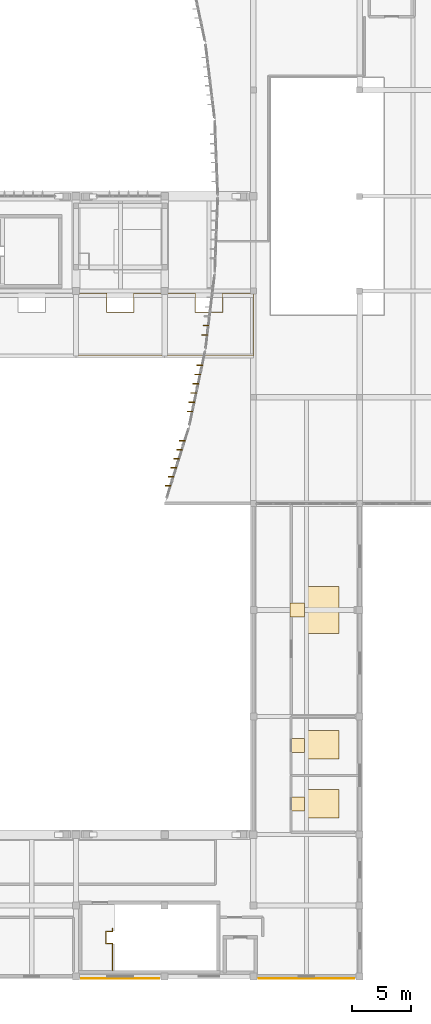
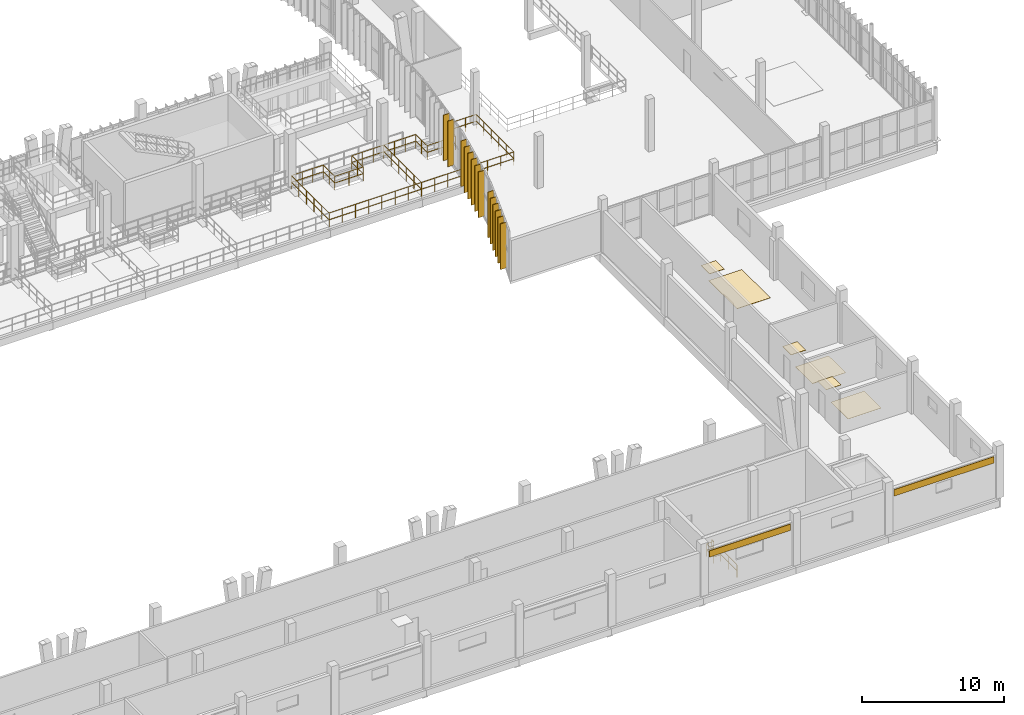
# One storey, part 78 of 81: 14 shading devices, 8 coverings, 3 railings.
"""IFC4 building model written with IfcOpenShell, lengths in metres."""

from ifc_helpers import new_model, si_unit, direction, frame, origin, origin_2d, place, context, subcontext, project, spatial, rectangle, circle, extrude, material, layer, layer_set, material_profile, profile_set, type_object, element, save


model = new_model("IFC4")

# Units and contexts
model_context = context("Model", 3, precision=1e-05, world=origin(), true_north=direction((0.0, 1.0)))
body_context = subcontext(model_context, "Body", "Model", "MODEL_VIEW")
ifc_project = project(units=[si_unit("LENGTHUNIT", "METRE"), si_unit("AREAUNIT", "SQUARE_METRE"), si_unit("VOLUMEUNIT", "CUBIC_METRE"), si_unit("PLANEANGLEUNIT", "RADIAN"), si_unit("MASSUNIT", "GRAM", prefix="KILO")], contexts=[model_context])

# Site, building, storey
site_placement = place(None, origin())
site = spatial("IfcSite", under=ifc_project, at=site_placement, CompositionType="ELEMENT")
building_placement = place(site_placement, origin())
building = spatial("IfcBuilding", under=site, at=building_placement, Name="Vourika Railside Aquatics Centre", CompositionType="ELEMENT")
storey_placement = place(building_placement, frame((0.0, 0.0, 4.800048828125)))
storey = spatial("IfcBuildingStorey", under=building, at=storey_placement, Name="L01", CompositionType="ELEMENT", Elevation=4.800048828125)

# Coverings
ifc_material_1 = material(Name="Perforated moisture-resistant acoustic gypsum ceiling")
ifc_layer_1 = layer(ifc_material_1, 0.02490234375, Name="COV-CEIL-25")
ifc_layer_set_1 = layer_set([ifc_layer_1], Name="Perforated moisture-resistant acoustic gypsum ceiling")
covering_type_1 = type_object("IfcCoveringType", Name="COV-CEIL-25", PredefinedType="CEILING", material=ifc_layer_set_1)
for number, where, z_axis, x_axis, name in (
    (1, (144.719970703125, 14.60009765625, 2.637451171875), (0.0, 0.0, 1.0), (1.0, 0.0, 0.0), "Spectator Concourse Male WC Acoustic Ceiling Panel"),
    (2, (144.719970703125, 19.534912109375, 2.637451171875), (0.0, 0.0, 1.0), (1.0, 0.0, 0.0), "Spectator Concourse Female WC Acoustic Ceiling Panel"),
    (3, (144.719970703125, 30.99951171875, 2.637451171875), (0.0, 0.0, 1.0), (1.0, 0.0, 0.0), "Lane Rope and Timing Pad Store Acoustic Ceiling Panel"),
):
    element("IfcCovering", number, at=place(storey_placement, frame(where, z_axis=z_axis, x_axis=x_axis)), inside=storey, type_object=covering_type_1, Name=name, PredefinedType="CEILING", context=body_context, shape_type="SweptSolid", body=[
        extrude(rectangle(XDim=1.199951171875, YDim=1.199951171875, at=origin_2d()), origin(), (0.0, 0.0, 1.0), 0.02490234375),
    ])
ifc_material_2 = material(Name="Bronze-anodized aluminium rainscreen", Category="aluminium")
ifc_layer_2 = layer(ifc_material_2, 0.044921875, Name="COV-CLAD-45")
ifc_layer_set_2 = layer_set([ifc_layer_2], Name="Bronze-anodized aluminium rainscreen")
covering_type_2 = type_object("IfcCoveringType", Name="COV-CLAD-45", PredefinedType="CLADDING", material=ifc_layer_set_2)
covering_1_placement = place(storey_placement, frame((129.75, -0.1650390625, 3.07470703125), z_axis=(0.0, 0.0, 1.0), x_axis=(1.0, 0.0, 0.0)))
element("IfcCovering", 4, at=covering_1_placement, inside=storey, type_object=covering_type_2, Name="Perforated Bronze Rainscreen Band CL-038", PredefinedType="CLADDING", context=body_context, shape_type="SweptSolid", body=[
    extrude(rectangle(XDim=6.60009765625, YDim=0.044921875, at=origin_2d()), origin(), (0.0, 0.0, 1.0), 0.550048828125),
])
covering_2_placement = place(storey_placement, frame((145.5, -0.1650390625, 3.07470703125), z_axis=(0.0, 0.0, 1.0), x_axis=(1.0, 0.0, 0.0)))
element("IfcCovering", 5, at=covering_2_placement, inside=storey, type_object=covering_type_2, Name="Perforated Bronze Rainscreen Band CL-039", PredefinedType="CLADDING", context=body_context, shape_type="SweptSolid", body=[
    extrude(rectangle(XDim=8.10009765625, YDim=0.044921875, at=origin_2d()), origin(), (0.0, 0.0, 1.0), 0.550048828125),
])
ifc_material_3 = material(Name="Slip-resistant aqua ceramic sports flooring")
ifc_layer_3 = layer(ifc_material_3, 0.02001953125, Name="COV-FLOR-20")
ifc_layer_set_3 = layer_set([ifc_layer_3], Name="Slip-resistant aqua ceramic sports flooring")
covering_type_3 = type_object("IfcCoveringType", Name="COV-FLOR-20", PredefinedType="FLOORING", material=ifc_layer_set_3)
for number, where, z_axis, x_axis, name in (
    (6, (146.89990234375, 14.60009765625, 0.0), (0.0, 0.0, 1.0), (1.0, 0.0, 0.0), "Spectator Concourse Male WC Sports Flooring Panel"),
    (7, (146.89990234375, 19.60009765625, 0.0), (0.0, 0.0, 1.0), (1.0, 0.0, 0.0), "Spectator Concourse Female WC Sports Flooring Panel"),
):
    element("IfcCovering", number, at=place(storey_placement, frame(where, z_axis=z_axis, x_axis=x_axis)), inside=storey, type_object=covering_type_3, Name=name, PredefinedType="FLOORING", context=body_context, shape_type="SweptSolid", body=[
        extrude(rectangle(XDim=2.699951171875, YDim=2.39990234375, at=origin_2d()), origin(), (0.0, 0.0, 1.0), 0.02001953125),
    ])
covering_3_placement = place(storey_placement, frame((146.89990234375, 31.0, 0.0), z_axis=(0.0, 0.0, 1.0), x_axis=(1.0, 0.0, 0.0)))
element("IfcCovering", 8, at=covering_3_placement, inside=storey, type_object=covering_type_3, Name="Lane Rope and Timing Pad Store Sports Flooring Panel", PredefinedType="FLOORING", context=body_context, shape_type="SweptSolid", body=[
    extrude(rectangle(XDim=2.699951171875, YDim=4.0, at=origin_2d()), origin(), (0.0, 0.0, 1.0), 0.02001953125),
])

# Railings
ifc_material_4 = material(Name="Duplex stainless steel EN 1.4462", Category="steel")
railing_type_1 = type_object("IfcRailingType", Name="RL-BAL-STD120", PredefinedType="BALUSTRADE", material=ifc_material_4)
railing_1_placement = place(storey_placement, frame((133.5, 57.800048828125, -0.35009765625)))
element("IfcRailing", 9, at=railing_1_placement, inside=storey, type_object=railing_type_1, Name="Spectator Stand Crowd Barrier (Stand Lower Tier Bay 13)", PredefinedType="BALUSTRADE", context=body_context, shape_type="SweptSolid", body=[
    extrude(circle(Radius=0.02392578125, at=origin_2d()), frame((0.0, 0.0, 1.17578125), z_axis=(0.0, -1.0, 0.0), x_axis=(1.0, 0.0, 0.0)), (0.0, 0.0, 1.0), 5.300048828125),
    extrude(circle(Radius=0.02392578125, at=origin_2d()), frame((0.0, 0.0, 0.60009765625), z_axis=(0.0, -1.0, 0.0), x_axis=(1.0, 0.0, 0.0)), (0.0, 0.0, 1.0), 5.300048828125),
    extrude(circle(Radius=0.02392578125, at=origin_2d()), frame((0.0, -5.300048828125, 1.17578125), z_axis=(-1.0, 0.0, 0.0), x_axis=(0.0, -1.0, 0.0)), (0.0, 0.0, 1.0), 7.5),
    extrude(circle(Radius=0.02392578125, at=origin_2d()), frame((0.0, -5.300048828125, 0.60009765625), z_axis=(-1.0, 0.0, 0.0), x_axis=(0.0, -1.0, 0.0)), (0.0, 0.0, 1.0), 7.5),
    extrude(circle(Radius=0.02392578125, at=origin_2d()), frame((-7.5, -5.300048828125, 1.17578125), z_axis=(0.0, 1.0, 0.0), x_axis=(-1.0, 0.0, 0.0)), (0.0, 0.0, 1.0), 5.300048828125),
    extrude(circle(Radius=0.02392578125, at=origin_2d()), frame((-7.5, -5.300048828125, 0.60009765625), z_axis=(0.0, 1.0, 0.0), x_axis=(-1.0, 0.0, 0.0)), (0.0, 0.0, 1.0), 5.300048828125),
    extrude(circle(Radius=0.02392578125, at=origin_2d()), frame((-7.5, 0.0, 1.17578125), z_axis=(1.0, 0.0, 0.0), x_axis=(0.0, 1.0, 0.0)), (0.0, 0.0, 1.0), 2.60009765625),
    extrude(circle(Radius=0.02392578125, at=origin_2d()), frame((-7.5, 0.0, 0.60009765625), z_axis=(1.0, 0.0, 0.0), x_axis=(0.0, 1.0, 0.0)), (0.0, 0.0, 1.0), 2.60009765625),
    extrude(circle(Radius=0.02392578125, at=origin_2d()), frame((-4.89990234375, 0.0, 1.17578125), z_axis=(0.0, -1.0, 0.0), x_axis=(1.0, 0.0, 0.0)), (0.0, 0.0, 1.0), 1.60009765625),
    extrude(circle(Radius=0.02392578125, at=origin_2d()), frame((-4.89990234375, 0.0, 0.60009765625), z_axis=(0.0, -1.0, 0.0), x_axis=(1.0, 0.0, 0.0)), (0.0, 0.0, 1.0), 1.60009765625),
    extrude(circle(Radius=0.02392578125, at=origin_2d()), frame((-4.89990234375, -1.60009765625, 1.17578125), z_axis=(1.0, 0.0, 0.0), x_axis=(0.0, 1.0, 0.0)), (0.0, 0.0, 1.0), 2.2998046875),
    extrude(circle(Radius=0.02392578125, at=origin_2d()), frame((-4.89990234375, -1.60009765625, 0.60009765625), z_axis=(1.0, 0.0, 0.0), x_axis=(0.0, 1.0, 0.0)), (0.0, 0.0, 1.0), 2.2998046875),
    extrude(circle(Radius=0.02392578125, at=origin_2d()), frame((-2.60009765625, -1.60009765625, 1.17578125), z_axis=(0.0, 1.0, 0.0), x_axis=(-1.0, 0.0, 0.0)), (0.0, 0.0, 1.0), 1.60009765625),
    extrude(circle(Radius=0.02392578125, at=origin_2d()), frame((-2.60009765625, -1.60009765625, 0.60009765625), z_axis=(0.0, 1.0, 0.0), x_axis=(-1.0, 0.0, 0.0)), (0.0, 0.0, 1.0), 1.60009765625),
    extrude(circle(Radius=0.02392578125, at=origin_2d()), frame((-2.60009765625, 0.0, 1.17578125), z_axis=(1.0, 0.0, 0.0), x_axis=(0.0, 1.0, 0.0)), (0.0, 0.0, 1.0), 2.60009765625),
    extrude(circle(Radius=0.02392578125, at=origin_2d()), frame((-2.60009765625, 0.0, 0.60009765625), z_axis=(1.0, 0.0, 0.0), x_axis=(0.0, 1.0, 0.0)), (0.0, 0.0, 1.0), 2.60009765625),
    extrude(circle(Radius=0.02099609375, at=origin_2d()), origin(), (0.0, 0.0, 1.0), 1.15185546875),
    extrude(circle(Radius=0.02099609375, at=origin_2d()), frame((0.0, -1.06005859375, 0.0)), (0.0, 0.0, 1.0), 1.15185546875),
    extrude(circle(Radius=0.02099609375, at=origin_2d()), frame((0.0, -2.1201171875, 0.0)), (0.0, 0.0, 1.0), 1.15185546875),
    extrude(circle(Radius=0.02099609375, at=origin_2d()), frame((0.0, -3.179931640625, 0.0)), (0.0, 0.0, 1.0), 1.15185546875),
    extrude(circle(Radius=0.02099609375, at=origin_2d()), frame((0.0, -4.239990234375, 0.0)), (0.0, 0.0, 1.0), 1.15185546875),
    extrude(circle(Radius=0.02099609375, at=origin_2d()), frame((0.0, -5.300048828125, 0.0)), (0.0, 0.0, 1.0), 1.15185546875),
    extrude(circle(Radius=0.02099609375, at=origin_2d()), frame((-1.071533203125, -5.300048828125, 0.0)), (0.0, 0.0, 1.0), 1.15185546875),
    extrude(circle(Radius=0.02099609375, at=origin_2d()), frame((-2.142822265625, -5.300048828125, 0.0)), (0.0, 0.0, 1.0), 1.15185546875),
    extrude(circle(Radius=0.02099609375, at=origin_2d()), frame((-3.21435546875, -5.300048828125, 0.0)), (0.0, 0.0, 1.0), 1.15185546875),
    extrude(circle(Radius=0.02099609375, at=origin_2d()), frame((-4.28564453125, -5.300048828125, 0.0)), (0.0, 0.0, 1.0), 1.15185546875),
    extrude(circle(Radius=0.02099609375, at=origin_2d()), frame((-5.357177734375, -5.300048828125, 0.0)), (0.0, 0.0, 1.0), 1.15185546875),
    extrude(circle(Radius=0.02099609375, at=origin_2d()), frame((-6.428466796875, -5.300048828125, 0.0)), (0.0, 0.0, 1.0), 1.15185546875),
    extrude(circle(Radius=0.02099609375, at=origin_2d()), frame((-7.5, -5.300048828125, 0.0)), (0.0, 0.0, 1.0), 1.15185546875),
    extrude(circle(Radius=0.02099609375, at=origin_2d()), frame((-7.5, -4.239990234375, 0.0)), (0.0, 0.0, 1.0), 1.15185546875),
    extrude(circle(Radius=0.02099609375, at=origin_2d()), frame((-7.5, -3.179931640625, 0.0)), (0.0, 0.0, 1.0), 1.15185546875),
    extrude(circle(Radius=0.02099609375, at=origin_2d()), frame((-7.5, -2.1201171875, 0.0)), (0.0, 0.0, 1.0), 1.15185546875),
    extrude(circle(Radius=0.02099609375, at=origin_2d()), frame((-7.5, -1.06005859375, 0.0)), (0.0, 0.0, 1.0), 1.15185546875),
    extrude(circle(Radius=0.02099609375, at=origin_2d()), frame((-7.5, 0.0, 0.0)), (0.0, 0.0, 1.0), 1.15185546875),
    extrude(circle(Radius=0.02099609375, at=origin_2d()), frame((-6.63330078125, 0.0, 0.0)), (0.0, 0.0, 1.0), 1.15185546875),
    extrude(circle(Radius=0.02099609375, at=origin_2d()), frame((-5.7666015625, 0.0, 0.0)), (0.0, 0.0, 1.0), 1.15185546875),
    extrude(circle(Radius=0.02099609375, at=origin_2d()), frame((-4.89990234375, 0.0, 0.0)), (0.0, 0.0, 1.0), 1.15185546875),
    extrude(circle(Radius=0.02099609375, at=origin_2d()), frame((-4.89990234375, -0.800048828125, 0.0)), (0.0, 0.0, 1.0), 1.15185546875),
    extrude(circle(Radius=0.02099609375, at=origin_2d()), frame((-4.89990234375, -1.60009765625, 0.0)), (0.0, 0.0, 1.0), 1.15185546875),
    extrude(circle(Radius=0.02099609375, at=origin_2d()), frame((-3.75, -1.60009765625, 0.0)), (0.0, 0.0, 1.0), 1.15185546875),
    extrude(circle(Radius=0.02099609375, at=origin_2d()), frame((-2.60009765625, -1.60009765625, 0.0)), (0.0, 0.0, 1.0), 1.15185546875),
    extrude(circle(Radius=0.02099609375, at=origin_2d()), frame((-2.60009765625, -0.800048828125, 0.0)), (0.0, 0.0, 1.0), 1.15185546875),
    extrude(circle(Radius=0.02099609375, at=origin_2d()), frame((-2.60009765625, 0.0, 0.0)), (0.0, 0.0, 1.0), 1.15185546875),
    extrude(circle(Radius=0.02099609375, at=origin_2d()), frame((-1.7333984375, 0.0, 0.0)), (0.0, 0.0, 1.0), 1.15185546875),
    extrude(circle(Radius=0.02099609375, at=origin_2d()), frame((-0.86669921875, 0.0, 0.0)), (0.0, 0.0, 1.0), 1.15185546875),
])
railing_2_placement = place(storey_placement, frame((141.0, 57.800048828125, -0.35009765625)))
element("IfcRailing", 10, at=railing_2_placement, inside=storey, type_object=railing_type_1, Name="Spectator Stand Crowd Barrier (Stand Lower Tier Bay 14)", PredefinedType="BALUSTRADE", context=body_context, shape_type="SweptSolid", body=[
    extrude(circle(Radius=0.02392578125, at=origin_2d()), frame((0.0, 0.0, 1.17578125), z_axis=(0.0, -1.0, 0.0), x_axis=(1.0, 0.0, 0.0)), (0.0, 0.0, 1.0), 5.300048828125),
    extrude(circle(Radius=0.02392578125, at=origin_2d()), frame((0.0, 0.0, 0.60009765625), z_axis=(0.0, -1.0, 0.0), x_axis=(1.0, 0.0, 0.0)), (0.0, 0.0, 1.0), 5.300048828125),
    extrude(circle(Radius=0.02392578125, at=origin_2d()), frame((0.0, -5.300048828125, 1.17578125), z_axis=(-1.0, 0.0, 0.0), x_axis=(0.0, -1.0, 0.0)), (0.0, 0.0, 1.0), 7.5),
    extrude(circle(Radius=0.02392578125, at=origin_2d()), frame((0.0, -5.300048828125, 0.60009765625), z_axis=(-1.0, 0.0, 0.0), x_axis=(0.0, -1.0, 0.0)), (0.0, 0.0, 1.0), 7.5),
    extrude(circle(Radius=0.02392578125, at=origin_2d()), frame((-7.5, -5.300048828125, 1.17578125), z_axis=(0.0, 1.0, 0.0), x_axis=(-1.0, 0.0, 0.0)), (0.0, 0.0, 1.0), 5.300048828125),
    extrude(circle(Radius=0.02392578125, at=origin_2d()), frame((-7.5, -5.300048828125, 0.60009765625), z_axis=(0.0, 1.0, 0.0), x_axis=(-1.0, 0.0, 0.0)), (0.0, 0.0, 1.0), 5.300048828125),
    extrude(circle(Radius=0.02392578125, at=origin_2d()), frame((-7.5, 0.0, 1.17578125), z_axis=(1.0, 0.0, 0.0), x_axis=(0.0, 1.0, 0.0)), (0.0, 0.0, 1.0), 2.60009765625),
    extrude(circle(Radius=0.02392578125, at=origin_2d()), frame((-7.5, 0.0, 0.60009765625), z_axis=(1.0, 0.0, 0.0), x_axis=(0.0, 1.0, 0.0)), (0.0, 0.0, 1.0), 2.60009765625),
    extrude(circle(Radius=0.02392578125, at=origin_2d()), frame((-4.89990234375, 0.0, 1.17578125), z_axis=(0.0, -1.0, 0.0), x_axis=(1.0, 0.0, 0.0)), (0.0, 0.0, 1.0), 1.60009765625),
    extrude(circle(Radius=0.02392578125, at=origin_2d()), frame((-4.89990234375, 0.0, 0.60009765625), z_axis=(0.0, -1.0, 0.0), x_axis=(1.0, 0.0, 0.0)), (0.0, 0.0, 1.0), 1.60009765625),
    extrude(circle(Radius=0.02392578125, at=origin_2d()), frame((-4.89990234375, -1.60009765625, 1.17578125), z_axis=(1.0, 0.0, 0.0), x_axis=(0.0, 1.0, 0.0)), (0.0, 0.0, 1.0), 2.2998046875),
    extrude(circle(Radius=0.02392578125, at=origin_2d()), frame((-4.89990234375, -1.60009765625, 0.60009765625), z_axis=(1.0, 0.0, 0.0), x_axis=(0.0, 1.0, 0.0)), (0.0, 0.0, 1.0), 2.2998046875),
    extrude(circle(Radius=0.02392578125, at=origin_2d()), frame((-2.60009765625, -1.60009765625, 1.17578125), z_axis=(0.0, 1.0, 0.0), x_axis=(-1.0, 0.0, 0.0)), (0.0, 0.0, 1.0), 1.60009765625),
    extrude(circle(Radius=0.02392578125, at=origin_2d()), frame((-2.60009765625, -1.60009765625, 0.60009765625), z_axis=(0.0, 1.0, 0.0), x_axis=(-1.0, 0.0, 0.0)), (0.0, 0.0, 1.0), 1.60009765625),
    extrude(circle(Radius=0.02392578125, at=origin_2d()), frame((-2.60009765625, 0.0, 1.17578125), z_axis=(1.0, 0.0, 0.0), x_axis=(0.0, 1.0, 0.0)), (0.0, 0.0, 1.0), 2.60009765625),
    extrude(circle(Radius=0.02392578125, at=origin_2d()), frame((-2.60009765625, 0.0, 0.60009765625), z_axis=(1.0, 0.0, 0.0), x_axis=(0.0, 1.0, 0.0)), (0.0, 0.0, 1.0), 2.60009765625),
    extrude(circle(Radius=0.02099609375, at=origin_2d()), origin(), (0.0, 0.0, 1.0), 1.15185546875),
    extrude(circle(Radius=0.02099609375, at=origin_2d()), frame((0.0, -1.06005859375, 0.0)), (0.0, 0.0, 1.0), 1.15185546875),
    extrude(circle(Radius=0.02099609375, at=origin_2d()), frame((0.0, -2.1201171875, 0.0)), (0.0, 0.0, 1.0), 1.15185546875),
    extrude(circle(Radius=0.02099609375, at=origin_2d()), frame((0.0, -3.179931640625, 0.0)), (0.0, 0.0, 1.0), 1.15185546875),
    extrude(circle(Radius=0.02099609375, at=origin_2d()), frame((0.0, -4.239990234375, 0.0)), (0.0, 0.0, 1.0), 1.15185546875),
    extrude(circle(Radius=0.02099609375, at=origin_2d()), frame((0.0, -5.300048828125, 0.0)), (0.0, 0.0, 1.0), 1.15185546875),
    extrude(circle(Radius=0.02099609375, at=origin_2d()), frame((-1.071533203125, -5.300048828125, 0.0)), (0.0, 0.0, 1.0), 1.15185546875),
    extrude(circle(Radius=0.02099609375, at=origin_2d()), frame((-2.142822265625, -5.300048828125, 0.0)), (0.0, 0.0, 1.0), 1.15185546875),
    extrude(circle(Radius=0.02099609375, at=origin_2d()), frame((-3.21435546875, -5.300048828125, 0.0)), (0.0, 0.0, 1.0), 1.15185546875),
    extrude(circle(Radius=0.02099609375, at=origin_2d()), frame((-4.28564453125, -5.300048828125, 0.0)), (0.0, 0.0, 1.0), 1.15185546875),
    extrude(circle(Radius=0.02099609375, at=origin_2d()), frame((-5.357177734375, -5.300048828125, 0.0)), (0.0, 0.0, 1.0), 1.15185546875),
    extrude(circle(Radius=0.02099609375, at=origin_2d()), frame((-6.428466796875, -5.300048828125, 0.0)), (0.0, 0.0, 1.0), 1.15185546875),
    extrude(circle(Radius=0.02099609375, at=origin_2d()), frame((-7.5, -5.300048828125, 0.0)), (0.0, 0.0, 1.0), 1.15185546875),
    extrude(circle(Radius=0.02099609375, at=origin_2d()), frame((-7.5, -4.239990234375, 0.0)), (0.0, 0.0, 1.0), 1.15185546875),
    extrude(circle(Radius=0.02099609375, at=origin_2d()), frame((-7.5, -3.179931640625, 0.0)), (0.0, 0.0, 1.0), 1.15185546875),
    extrude(circle(Radius=0.02099609375, at=origin_2d()), frame((-7.5, -2.1201171875, 0.0)), (0.0, 0.0, 1.0), 1.15185546875),
    extrude(circle(Radius=0.02099609375, at=origin_2d()), frame((-7.5, -1.06005859375, 0.0)), (0.0, 0.0, 1.0), 1.15185546875),
    extrude(circle(Radius=0.02099609375, at=origin_2d()), frame((-7.5, 0.0, 0.0)), (0.0, 0.0, 1.0), 1.15185546875),
    extrude(circle(Radius=0.02099609375, at=origin_2d()), frame((-6.63330078125, 0.0, 0.0)), (0.0, 0.0, 1.0), 1.15185546875),
    extrude(circle(Radius=0.02099609375, at=origin_2d()), frame((-5.7666015625, 0.0, 0.0)), (0.0, 0.0, 1.0), 1.15185546875),
    extrude(circle(Radius=0.02099609375, at=origin_2d()), frame((-4.89990234375, 0.0, 0.0)), (0.0, 0.0, 1.0), 1.15185546875),
    extrude(circle(Radius=0.02099609375, at=origin_2d()), frame((-4.89990234375, -0.800048828125, 0.0)), (0.0, 0.0, 1.0), 1.15185546875),
    extrude(circle(Radius=0.02099609375, at=origin_2d()), frame((-4.89990234375, -1.60009765625, 0.0)), (0.0, 0.0, 1.0), 1.15185546875),
    extrude(circle(Radius=0.02099609375, at=origin_2d()), frame((-3.75, -1.60009765625, 0.0)), (0.0, 0.0, 1.0), 1.15185546875),
    extrude(circle(Radius=0.02099609375, at=origin_2d()), frame((-2.60009765625, -1.60009765625, 0.0)), (0.0, 0.0, 1.0), 1.15185546875),
    extrude(circle(Radius=0.02099609375, at=origin_2d()), frame((-2.60009765625, -0.800048828125, 0.0)), (0.0, 0.0, 1.0), 1.15185546875),
    extrude(circle(Radius=0.02099609375, at=origin_2d()), frame((-2.60009765625, 0.0, 0.0)), (0.0, 0.0, 1.0), 1.15185546875),
    extrude(circle(Radius=0.02099609375, at=origin_2d()), frame((-1.7333984375, 0.0, 0.0)), (0.0, 0.0, 1.0), 1.15185546875),
    extrude(circle(Radius=0.02099609375, at=origin_2d()), frame((-0.86669921875, 0.0, 0.0)), (0.0, 0.0, 1.0), 1.15185546875),
])
railing_type_2 = type_object("IfcRailingType", Name="RL-STAIR-1120", PredefinedType="BALUSTRADE", material=ifc_material_4)
railing_3_placement = place(storey_placement, frame((129.10009765625, 0.52001953125, 0.0)))
element("IfcRailing", 11, at=railing_3_placement, inside=storey, type_object=railing_type_2, Name="Protected Exit Stair Core ST06 Well Edge Guard (L01)", PredefinedType="BALUSTRADE", context=body_context, shape_type="SweptSolid", body=[
    extrude(circle(Radius=0.02392578125, at=origin_2d()), frame((0.0, 0.0, 1.09619140625), z_axis=(0.0, 1.0, 0.0), x_axis=(-1.0, 0.0, 0.0)), (0.0, 0.0, 1.0), 2.280029296875),
    extrude(circle(Radius=0.02392578125, at=origin_2d()), frame((0.0, 0.0, 0.56005859375), z_axis=(0.0, 1.0, 0.0), x_axis=(-1.0, 0.0, 0.0)), (0.0, 0.0, 1.0), 2.280029296875),
    extrude(circle(Radius=0.02392578125, at=origin_2d()), frame((0.0, 2.280029296875, 1.09619140625), z_axis=(-1.0, 0.0, 0.0), x_axis=(0.0, -1.0, 0.0)), (0.0, 0.0, 1.0), 0.570068359375),
    extrude(circle(Radius=0.02392578125, at=origin_2d()), frame((0.0, 2.280029296875, 0.56005859375), z_axis=(-1.0, 0.0, 0.0), x_axis=(0.0, -1.0, 0.0)), (0.0, 0.0, 1.0), 0.570068359375),
    extrude(circle(Radius=0.02392578125, at=origin_2d()), frame((-0.570068359375, 2.280029296875, 1.09619140625), z_axis=(0.0, 1.0, 0.0), x_axis=(-1.0, 0.0, 0.0)), (0.0, 0.0, 1.0), 1.0),
    extrude(circle(Radius=0.02392578125, at=origin_2d()), frame((-0.570068359375, 2.280029296875, 0.56005859375), z_axis=(0.0, 1.0, 0.0), x_axis=(-1.0, 0.0, 0.0)), (0.0, 0.0, 1.0), 1.0),
    extrude(circle(Radius=0.02392578125, at=origin_2d()), frame((-0.570068359375, 3.280029296875, 1.09619140625), z_axis=(1.0, 0.0, 0.0), x_axis=(0.0, 1.0, 0.0)), (0.0, 0.0, 1.0), 0.570068359375),
    extrude(circle(Radius=0.02392578125, at=origin_2d()), frame((-0.570068359375, 3.280029296875, 0.56005859375), z_axis=(1.0, 0.0, 0.0), x_axis=(0.0, 1.0, 0.0)), (0.0, 0.0, 1.0), 0.570068359375),
    extrude(circle(Radius=0.02392578125, at=origin_2d()), frame((0.0, 3.280029296875, 1.09619140625), z_axis=(0.0, 1.0, 0.0), x_axis=(-1.0, 0.0, 0.0)), (0.0, 0.0, 1.0), 0.25),
    extrude(circle(Radius=0.02392578125, at=origin_2d()), frame((0.0, 3.280029296875, 0.56005859375), z_axis=(0.0, 1.0, 0.0), x_axis=(-1.0, 0.0, 0.0)), (0.0, 0.0, 1.0), 0.25),
    extrude(circle(Radius=0.02099609375, at=origin_2d()), origin(), (0.0, 0.0, 1.0), 1.072021484375),
    extrude(circle(Radius=0.02099609375, at=origin_2d()), frame((0.0, 1.14013671875, 0.0)), (0.0, 0.0, 1.0), 1.072021484375),
    extrude(circle(Radius=0.02099609375, at=origin_2d()), frame((0.0, 2.280029296875, 0.0)), (0.0, 0.0, 1.0), 1.072021484375),
    extrude(circle(Radius=0.02099609375, at=origin_2d()), frame((-0.570068359375, 2.280029296875, 0.0)), (0.0, 0.0, 1.0), 1.072021484375),
    extrude(circle(Radius=0.02099609375, at=origin_2d()), frame((-0.570068359375, 3.280029296875, 0.0)), (0.0, 0.0, 1.0), 1.072021484375),
    extrude(circle(Radius=0.02099609375, at=origin_2d()), frame((0.0, 3.280029296875, 0.0)), (0.0, 0.0, 1.0), 1.072021484375),
    extrude(circle(Radius=0.02099609375, at=origin_2d()), frame((0.0, 3.530029296875, 0.0)), (0.0, 0.0, 1.0), 1.072021484375),
])

# Shading devices
ifc_material_5 = material(Name="Bronze-anodized extruded aluminium", Category="aluminium")
ifc_material_profile = material_profile(ifc_material_5, rectangle(XDim=0.06005859375, YDim=0.47998046875, at=origin_2d()), Name="ALU-FIN 60x480")
ifc_profile_set = profile_set([ifc_material_profile], Name="Bronze-anodized extruded aluminium")
shading_device_type = type_object("IfcShadingDeviceType", Name="SHD-FIN-F48A", PredefinedType="USERDEFINED", material=ifc_profile_set)
for number, where, z_axis, x_axis, name in (
    (12, (133.78955078125, 41.51220703125, 0.0), (0.0, 0.0, 1.0), (0.0, 1.0, 0.0), "Vertical Solar Fin VSF-0400"),
    (13, (134.029541015625, 42.275390625, 0.0), (0.0, 0.0, 1.0), (0.0, 1.0, 0.0), "Vertical Solar Fin VSF-0401"),
    (14, (134.26953125, 43.038330078125, 0.0), (0.0, 0.0, 1.0), (0.0, 1.0, 0.0), "Vertical Solar Fin VSF-0402"),
    (15, (134.509521484375, 43.801513671875, 0.0), (0.0, 0.0, 1.0), (0.0, 1.0, 0.0), "Vertical Solar Fin VSF-0403"),
    (16, (134.74951171875, 44.564697265625, 0.0), (0.0, 0.0, 1.0), (0.0, 1.0, 0.0), "Vertical Solar Fin VSF-0404"),
    (17, (134.989501953125, 45.327880859375, 0.0), (0.0, 0.0, 1.0), (0.0, 1.0, 0.0), "Vertical Solar Fin VSF-0405"),
    (18, (135.6318359375, 47.793701171875, 0.0), (0.0, 0.0, 1.0), (0.0, 1.0, 0.0), "Vertical Solar Fin VSF-0406"),
    (19, (135.7978515625, 48.576171875, 0.0), (0.0, 0.0, 1.0), (0.0, 1.0, 0.0), "Vertical Solar Fin VSF-0407"),
    (20, (135.964111328125, 49.358642578125, 0.0), (0.0, 0.0, 1.0), (0.0, 1.0, 0.0), "Vertical Solar Fin VSF-0408"),
    (21, (136.1298828125, 50.141357421875, 0.0), (0.0, 0.0, 1.0), (0.0, 1.0, 0.0), "Vertical Solar Fin VSF-0409"),
    (22, (136.296142578125, 50.923828125, 0.0), (0.0, 0.0, 1.0), (0.0, 1.0, 0.0), "Vertical Solar Fin VSF-0410"),
    (23, (136.462158203125, 51.706298828125, 0.0), (0.0, 0.0, 1.0), (0.0, 1.0, 0.0), "Vertical Solar Fin VSF-0411"),
    (24, (136.890625, 54.264892578125, 0.0), (0.0, 0.0, 1.0), (0.0, 1.0, 0.0), "Vertical Solar Fin VSF-0412"),
    (25, (136.98779296875, 55.058837890625, 0.0), (0.0, 0.0, 1.0), (0.0, 1.0, 0.0), "Vertical Solar Fin VSF-0413"),
):
    element("IfcShadingDevice", number, at=place(storey_placement, frame(where, z_axis=z_axis, x_axis=x_axis)), inside=storey, type_object=shading_device_type, Name=name, ObjectType="FIN", PredefinedType="USERDEFINED", context=body_context, shape_type="SweptSolid", body=[
        extrude(rectangle(XDim=0.06005859375, YDim=0.47998046875, at=origin_2d()), origin(), (0.0, 0.0, 1.0), 3.919921875),
    ])

save(model, "model.ifc")
